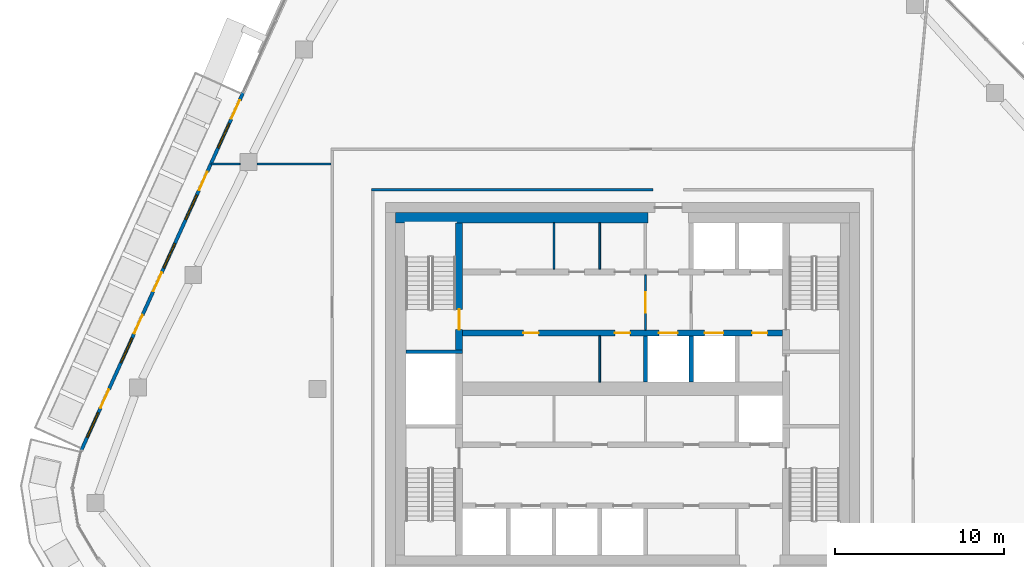
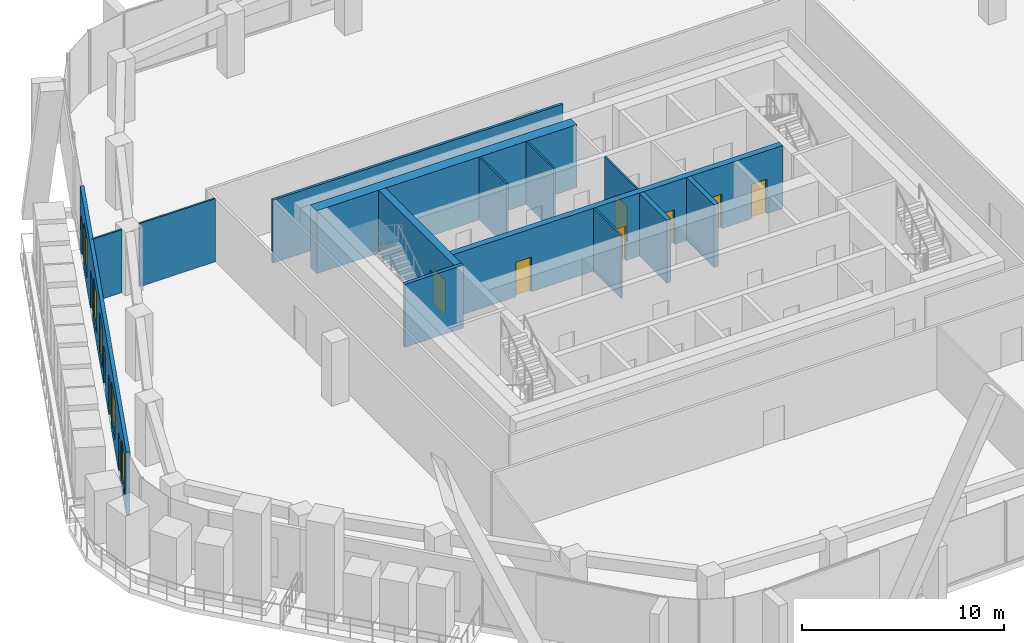
# One storey, part 14 of 23: 14 walls, 12 doors, 5 windows, 17 openings.
"""IFC4 building model written with IfcOpenShell, lengths in metres."""

from ifc_helpers import new_model, si_unit, direction, frame, frame_2d, origin, place, context, subcontext, project, spatial, rectangle, extrude, material, layer, layer_set, type_object, element, fill, save


model = new_model("IFC4")

# Units and contexts
model_context = context("Model", 3, precision=1e-05, world=origin(), true_north=direction((0.0, 1.0)))
body_context = subcontext(model_context, "Body", "Model", "MODEL_VIEW")
ifc_project = project(units=[si_unit("LENGTHUNIT", "METRE"), si_unit("AREAUNIT", "SQUARE_METRE"), si_unit("VOLUMEUNIT", "CUBIC_METRE"), si_unit("PLANEANGLEUNIT", "RADIAN"), si_unit("MASSUNIT", "GRAM", prefix="KILO")], contexts=[model_context])

# Site, building, storey
site_placement = place(None, origin())
site = spatial("IfcSite", under=ifc_project, at=site_placement, CompositionType="ELEMENT")
building_placement = place(site_placement, origin())
building = spatial("IfcBuilding", under=site, at=building_placement, Name="Dongbaek Canopy Tower", CompositionType="ELEMENT")
storey_placement = place(building_placement, frame((0.0, 0.0, 327.800048828125)))
storey = spatial("IfcBuildingStorey", under=building, at=storey_placement, Name="L70", CompositionType="ELEMENT", Elevation=327.800048828125)

# Wall, openings, doors
ifc_material_1 = material(Name="Concrete C60/75", Category="concrete")
ifc_layer_1 = layer(ifc_material_1, 0.35009765625)
ifc_layer_set_1 = layer_set([ifc_layer_1], Name="Core lobby wall 350 Concrete C60/75")
wall_type_1 = type_object("IfcWallType", Name="Core lobby wall 350 Concrete C60/75", PredefinedType="SHEAR", material=ifc_layer_set_1)
wall_1_placement = place(storey_placement, frame((9.449951171875, 3.300048828125, 0.0), z_axis=(0.0, 0.0, 1.0), x_axis=(-1.0, 0.0, 0.0)))
wall_1 = element("IfcWall", 1, at=wall_1_placement, inside=storey, type_object=wall_type_1, Name="Core wall", PredefinedType="SHEAR", context=body_context, shape_type="SweptSolid", body=[
    extrude(rectangle(XDim=18.89990234375, YDim=0.35009765625, at=frame_2d((9.449951171875, 0.0))), origin(), (0.0, 0.0, 1.0), 3.820068359375),
])
opening_1_placement = place(wall_1_placement, frame((6.199951171875, 0.0, 0.0)))
opening_1 = element("IfcOpeningElement", 2, at=opening_1_placement, cuts=wall_1, Name="Opening L70-D011", PredefinedType="OPENING", context=body_context, shape_type="SweptSolid", body=[
    extrude(rectangle(XDim=1.10009765625, YDim=2.10009765625, at=frame_2d((0.550048828125, 1.050048828125))), frame((0.0, 0.18505859375, 0.0), z_axis=(0.0, -1.0, 0.0), x_axis=(1.0, 0.0, 0.0)), (0.0, 0.0, 1.0), 0.3701171875),
])
opening_2_placement = place(wall_1_placement, frame((3.5, 0.0, 0.0)))
opening_2 = element("IfcOpeningElement", 3, at=opening_2_placement, cuts=wall_1, Name="Opening L70-D012", PredefinedType="OPENING", context=body_context, shape_type="SweptSolid", body=[
    extrude(rectangle(XDim=1.10009765625, YDim=2.10009765625, at=frame_2d((0.550048828125, 1.050048828125))), frame((0.0, 0.18505859375, 0.0), z_axis=(0.0, -1.0, 0.0), x_axis=(1.0, 0.0, 0.0)), (0.0, 0.0, 1.0), 0.3701171875),
])
opening_3_placement = place(wall_1_placement, frame((0.89990234375, 0.0, 0.0)))
opening_3 = element("IfcOpeningElement", 4, at=opening_3_placement, cuts=wall_1, Name="Opening L70-D013", PredefinedType="OPENING", context=body_context, shape_type="SweptSolid", body=[
    extrude(rectangle(XDim=0.89990234375, YDim=2.10009765625, at=frame_2d((0.449951171875, 1.050048828125))), frame((0.0, 0.18505859375, 0.0), z_axis=(0.0, -1.0, 0.0), x_axis=(1.0, 0.0, 0.0)), (0.0, 0.0, 1.0), 0.3701171875),
])
opening_4_placement = place(wall_1_placement, frame((14.39990234375, 0.0, 0.0)))
opening_4 = element("IfcOpeningElement", 5, at=opening_4_placement, cuts=wall_1, Name="Opening L70-D024", PredefinedType="OPENING", context=body_context, shape_type="SweptSolid", body=[
    extrude(rectangle(XDim=0.89990234375, YDim=2.10009765625, at=frame_2d((0.449951171875, 1.050048828125))), frame((0.0, 0.18505859375, 0.0), z_axis=(0.0, -1.0, 0.0), x_axis=(1.0, 0.0, 0.0)), (0.0, 0.0, 1.0), 0.3701171875),
])
opening_5_placement = place(wall_1_placement, frame((9.0, 0.0, 0.0)))
opening_5 = element("IfcOpeningElement", 6, at=opening_5_placement, cuts=wall_1, Name="Opening L70-D025", PredefinedType="OPENING", context=body_context, shape_type="SweptSolid", body=[
    extrude(rectangle(XDim=0.89990234375, YDim=2.10009765625, at=frame_2d((0.449951171875, 1.050048828125))), frame((0.0, 0.18505859375, 0.0), z_axis=(0.0, -1.0, 0.0), x_axis=(1.0, 0.0, 0.0)), (0.0, 0.0, 1.0), 0.3701171875),
])
ifc_material_2 = material(Name="Steel", Category="steel")
door_type_1 = type_object("IfcDoorType", Name="Core room door 900 x 2100", OperationType="SINGLE_SWING_LEFT", PredefinedType="DOOR", material=ifc_material_2)
door_1_placement = place(opening_3_placement, origin())
door_1 = element("IfcDoor", 7, at=door_1_placement, inside=storey, type_object=door_type_1, Name="Door L70-D013", OperationType="SINGLE_SWING_LEFT", OverallHeight=2.10009765625, OverallWidth=0.89990234375, PredefinedType="DOOR", context=body_context, shape_type="SweptSolid", body=[
    extrude(rectangle(XDim=0.89990234375, YDim=2.10009765625, at=frame_2d((0.449951171875, 1.050048828125))), frame((0.0, 0.02490234375, 0.0), z_axis=(0.0, -1.0, 0.0), x_axis=(1.0, 0.0, 0.0)), (0.0, 0.0, 1.0), 0.050048828125),
])
fill(opening_3, door_1)
door_2_placement = place(opening_4_placement, origin())
door_2 = element("IfcDoor", 8, at=door_2_placement, inside=storey, type_object=door_type_1, Name="Door L70-D024", OperationType="SINGLE_SWING_LEFT", OverallHeight=2.10009765625, OverallWidth=0.89990234375, PredefinedType="DOOR", context=body_context, shape_type="SweptSolid", body=[
    extrude(rectangle(XDim=0.89990234375, YDim=2.10009765625, at=frame_2d((0.449951171875, 1.050048828125))), frame((0.0, 0.02490234375, 0.0), z_axis=(0.0, -1.0, 0.0), x_axis=(1.0, 0.0, 0.0)), (0.0, 0.0, 1.0), 0.050048828125),
])
fill(opening_4, door_2)
door_3_placement = place(opening_5_placement, origin())
door_3 = element("IfcDoor", 9, at=door_3_placement, inside=storey, type_object=door_type_1, Name="Door L70-D025", OperationType="SINGLE_SWING_RIGHT", OverallHeight=2.10009765625, OverallWidth=0.89990234375, PredefinedType="DOOR", context=body_context, shape_type="SweptSolid", body=[
    extrude(rectangle(XDim=0.89990234375, YDim=2.10009765625, at=frame_2d((0.449951171875, 1.050048828125))), frame((0.0, 0.02490234375, 0.0), z_axis=(0.0, -1.0, 0.0), x_axis=(1.0, 0.0, 0.0)), (0.0, 0.0, 1.0), 0.050048828125),
])
fill(opening_5, door_3)
ifc_material_3 = material(Name="Stainless steel", Category="steel")
door_type_2 = type_object("IfcDoorType", Name="Lift landing door 1100 x 2100", OperationType="DOUBLE_DOOR_SLIDING", PredefinedType="DOOR", material=ifc_material_3)
door_4_placement = place(opening_1_placement, origin())
door_4 = element("IfcDoor", 10, at=door_4_placement, inside=storey, type_object=door_type_2, Name="Landing door SV1", OperationType="DOUBLE_DOOR_SLIDING", OverallHeight=2.10009765625, OverallWidth=1.10009765625, PredefinedType="DOOR", context=body_context, shape_type="SweptSolid", body=[
    extrude(rectangle(XDim=1.10009765625, YDim=2.10009765625, at=frame_2d((0.550048828125, 1.050048828125))), frame((0.0, 0.02490234375, 0.0), z_axis=(0.0, -1.0, 0.0), x_axis=(1.0, 0.0, 0.0)), (0.0, 0.0, 1.0), 0.050048828125),
])
fill(opening_1, door_4)
door_5_placement = place(opening_2_placement, origin())
door_5 = element("IfcDoor", 11, at=door_5_placement, inside=storey, type_object=door_type_2, Name="Landing door FF3", OperationType="DOUBLE_DOOR_SLIDING", OverallHeight=2.10009765625, OverallWidth=1.10009765625, PredefinedType="DOOR", context=body_context, shape_type="SweptSolid", body=[
    extrude(rectangle(XDim=1.10009765625, YDim=2.10009765625, at=frame_2d((0.550048828125, 1.050048828125))), frame((0.0, 0.02490234375, 0.0), z_axis=(0.0, -1.0, 0.0), x_axis=(1.0, 0.0, 0.0)), (0.0, 0.0, 1.0), 0.050048828125),
])
fill(opening_2, door_5)

# Walls
ifc_material_4 = material(Name="Concrete C60/75", Category="concrete")
ifc_layer_2 = layer(ifc_material_4, 0.60009765625)
ifc_layer_set_2 = layer_set([ifc_layer_2], Name="Core wall lining 600 Concrete C60/75")
wall_type_2 = type_object("IfcWallType", Name="Core wall lining 600 Concrete C60/75", PredefinedType="SHEAR", material=ifc_layer_set_2)
wall_2_placement = place(storey_placement, frame((-13.39990234375, 10.10009765625, 0.0), z_axis=(0.0, 0.0, 1.0), x_axis=(1.0, 0.0, 0.0)))
element("IfcWall", 12, at=wall_2_placement, inside=storey, type_object=wall_type_2, Name="Core wall lining", PredefinedType="SHEAR", context=body_context, shape_type="SweptSolid", body=[
    extrude(rectangle(XDim=14.89990234375, YDim=0.60009765625, at=frame_2d((7.449951171875, 0.0))), origin(), (0.0, 0.0, 1.0), 3.820068359375),
])
ifc_material_5 = material(Name="Gypsum board partition, steel stud, 2 x 15 mm fire board", Category="steel")
ifc_layer_3 = layer(ifc_material_5, 0.14990234375)
ifc_layer_set_3 = layer_set([ifc_layer_3], Name="Fire-rated partition 150 gypsum board")
wall_type_3 = type_object("IfcWallType", Name="Fire-rated partition 150 gypsum board", PredefinedType="PARTITIONING", material=ifc_layer_set_3)
wall_3_placement = place(storey_placement, frame((-14.824951171875, 11.75, 0.0), z_axis=(0.0, 0.0, 1.0), x_axis=(1.0, 0.0, 0.0)))
element("IfcWall", 13, at=wall_3_placement, inside=storey, type_object=wall_type_3, Name="Corridor partition", PredefinedType="PARTITIONING", context=body_context, shape_type="SweptSolid", body=[
    extrude(rectangle(XDim=16.625, YDim=0.14990234375, at=frame_2d((8.3125, 0.0))), origin(), (0.0, 0.0, 1.0), 3.820068359375),
])
ifc_material_6 = material(Name="Concrete C40/50", Category="concrete")
ifc_layer_4 = layer(ifc_material_6, 0.25)
ifc_layer_set_4 = layer_set([ifc_layer_4], Name="Lift shaft wall 250 Concrete C40/50")
wall_type_4 = type_object("IfcWallType", Name="Lift shaft wall 250 Concrete C40/50", PredefinedType="SOLIDWALL", material=ifc_layer_set_4)
for number, where, z_axis, x_axis, name in (
    (14, (4.050048828125, 0.39990234375, 0.0), (0.0, 0.0, 1.0), (0.0, 1.0, 0.0), "Lift shaft wall"),
    (15, (1.35009765625, 0.39990234375, 0.0), (0.0, 0.0, 1.0), (0.0, 1.0, 0.0), "Lift shaft wall"),
):
    element("IfcWall", number, at=place(storey_placement, frame(where, z_axis=z_axis, x_axis=x_axis)), inside=storey, type_object=wall_type_4, Name=name, PredefinedType="SOLIDWALL", context=body_context, shape_type="SweptSolid", body=[
        extrude(rectangle(XDim=2.72509765625, YDim=0.25, at=frame_2d((1.362548828125, 0.0))), origin(), (0.0, 0.0, 1.0), 3.820068359375),
    ])
ifc_material_7 = material(Name="Gypsum board partition, steel stud, 2 x 12.5 mm board", Category="steel")
ifc_layer_5 = layer(ifc_material_7, 0.10009765625)
ifc_layer_set_5 = layer_set([ifc_layer_5], Name="Partition 100 gypsum board")
wall_type_5 = type_object("IfcWallType", Name="Partition 100 gypsum board", PredefinedType="PARTITIONING", material=ifc_layer_set_5)
wall_4_placement = place(storey_placement, frame((-24.28759765625, 13.27099609375, 0.0), z_axis=(0.0, 0.0, 1.0), x_axis=(1.0, 0.0, 0.0)))
element("IfcWall", 16, at=wall_4_placement, inside=storey, type_object=wall_type_5, Name="Partition", PredefinedType="PARTITIONING", context=body_context, shape_type="SweptSolid", body=[
    extrude(rectangle(XDim=1.711669921875, YDim=0.10009765625, at=frame_2d((0.85595703125, 0.0))), origin(), (0.0, 0.0, 1.0), 3.820068359375),
])
wall_5_placement = place(storey_placement, frame((-21.575927734375, 13.27099609375, 0.0), z_axis=(0.0, 0.0, 1.0), x_axis=(1.0, 0.0, 0.0)))
element("IfcWall", 17, at=wall_5_placement, inside=storey, type_object=wall_type_5, Name="Partition", PredefinedType="PARTITIONING", context=body_context, shape_type="SweptSolid", body=[
    extrude(rectangle(XDim=4.350830078125, YDim=0.10009765625, at=frame_2d((2.17529296875, 0.0))), origin(), (0.0, 0.0, 1.0), 3.820068359375),
])

# Wall, opening, door
wall_6_placement = place(storey_placement, frame((1.35009765625, 6.72509765625, 0.0), z_axis=(0.0, 0.0, 1.0), x_axis=(0.0, -1.0, 0.0)))
wall_6 = element("IfcWall", 18, at=wall_6_placement, inside=storey, type_object=wall_type_5, Name="Core partition", PredefinedType="PARTITIONING", context=body_context, shape_type="SweptSolid", body=[
    extrude(rectangle(XDim=3.25, YDim=0.10009765625, at=frame_2d((1.625, 0.0))), origin(), (0.0, 0.0, 1.0), 3.820068359375),
])
opening_6_placement = place(wall_6_placement, frame((1.02490234375, 0.0, 0.0)))
opening_6 = element("IfcOpeningElement", 19, at=opening_6_placement, cuts=wall_6, Name="Opening L70-D034", PredefinedType="OPENING", context=body_context, shape_type="SweptSolid", body=[
    extrude(rectangle(XDim=1.199951171875, YDim=2.10009765625, at=frame_2d((0.60009765625, 1.050048828125))), frame((0.0, 0.06005859375, 0.0), z_axis=(0.0, -1.0, 0.0), x_axis=(1.0, 0.0, 0.0)), (0.0, 0.0, 1.0), 0.1201171875),
])
ifc_material_8 = material(Name="Steel", Category="steel")
door_type_3 = type_object("IfcDoorType", Name="Fire lobby door 1200 x 2100", OperationType="SINGLE_SWING_LEFT", PredefinedType="DOOR", material=ifc_material_8)
door_6_placement = place(opening_6_placement, origin())
door_6 = element("IfcDoor", 20, at=door_6_placement, inside=storey, type_object=door_type_3, Name="Door L70-D034", OperationType="SINGLE_SWING_LEFT", OverallHeight=2.10009765625, OverallWidth=1.199951171875, PredefinedType="DOOR", context=body_context, shape_type="SweptSolid", body=[
    extrude(rectangle(XDim=1.199951171875, YDim=2.10009765625, at=frame_2d((0.60009765625, 1.050048828125))), frame((0.0, 0.02490234375, 0.0), z_axis=(0.0, -1.0, 0.0), x_axis=(1.0, 0.0, 0.0)), (0.0, 0.0, 1.0), 0.050048828125),
])
fill(opening_6, door_6)

# Walls
for number, where, z_axis, x_axis, name in (
    (21, (-1.35009765625, 0.39990234375, 0.0), (0.0, 0.0, 1.0), (0.0, 1.0, 0.0), "Core partition"),
    (22, (-1.35009765625, 7.074951171875, 0.0), (0.0, 0.0, 1.0), (0.0, 1.0, 0.0), "Core partition"),
    (23, (-4.050048828125, 7.074951171875, 0.0), (0.0, 0.0, 1.0), (0.0, 1.0, 0.0), "Core partition"),
):
    element("IfcWall", number, at=place(storey_placement, frame(where, z_axis=z_axis, x_axis=x_axis)), inside=storey, type_object=wall_type_5, Name=name, PredefinedType="PARTITIONING", context=body_context, shape_type="SweptSolid", body=[
        extrude(rectangle(XDim=2.72509765625, YDim=0.10009765625, at=frame_2d((1.362548828125, 0.0))), origin(), (0.0, 0.0, 1.0), 3.820068359375),
    ])
ifc_material_9 = material(Name="Concrete C60/75", Category="concrete")
ifc_layer_6 = layer(ifc_material_9, 0.199951171875)
ifc_layer_set_6 = layer_set([ifc_layer_6], Name="Riser wall 200 Concrete C60/75")
wall_type_6 = type_object("IfcWallType", Name="Riser wall 200 Concrete C60/75", PredefinedType="SHEAR", material=ifc_layer_set_6)
wall_7_placement = place(storey_placement, frame((-9.449951171875, 2.199951171875, 0.0), z_axis=(0.0, 0.0, 1.0), x_axis=(-1.0, 0.0, 0.0)))
element("IfcWall", 24, at=wall_7_placement, inside=storey, type_object=wall_type_6, Name="Riser wall", PredefinedType="SHEAR", context=body_context, shape_type="SweptSolid", body=[
    extrude(rectangle(XDim=3.35009765625, YDim=0.199951171875, at=frame_2d((1.675048828125, 0.0))), origin(), (0.0, 0.0, 1.0), 3.820068359375),
])

# Wall, opening, door
ifc_material_10 = material(Name="Concrete C60/75", Category="concrete")
ifc_layer_7 = layer(ifc_material_10, 0.39990234375)
ifc_layer_set_7 = layer_set([ifc_layer_7], Name="Stair wall 400 Concrete C60/75")
wall_type_7 = type_object("IfcWallType", Name="Stair wall 400 Concrete C60/75", PredefinedType="SHEAR", material=ifc_layer_set_7)
wall_8_placement = place(storey_placement, frame((-9.64990234375, 2.300048828125, 0.0), z_axis=(0.0, 0.0, 1.0), x_axis=(0.0, 1.0, 0.0)))
wall_8 = element("IfcWall", 25, at=wall_8_placement, inside=storey, type_object=wall_type_7, Name="Stair wall", PredefinedType="SHEAR", context=body_context, shape_type="SweptSolid", body=[
    extrude(rectangle(XDim=7.5, YDim=0.39990234375, at=frame_2d((3.75, 0.0))), origin(), (0.0, 0.0, 1.0), 3.820068359375),
])
opening_7_placement = place(wall_8_placement, frame((1.199951171875, 0.0, 0.0)))
opening_7 = element("IfcOpeningElement", 26, at=opening_7_placement, cuts=wall_8, Name="Opening L70-D031", PredefinedType="OPENING", context=body_context, shape_type="SweptSolid", body=[
    extrude(rectangle(XDim=1.199951171875, YDim=2.10009765625, at=frame_2d((0.60009765625, 1.050048828125))), frame((0.0, 0.2099609375, 0.0), z_axis=(0.0, -1.0, 0.0), x_axis=(1.0, 0.0, 0.0)), (0.0, 0.0, 1.0), 0.419921875),
])
ifc_material_11 = material(Name="Steel", Category="steel")
door_type_4 = type_object("IfcDoorType", Name="Stair door 1200 x 2100", OperationType="SINGLE_SWING_LEFT", PredefinedType="DOOR", material=ifc_material_11)
door_7_placement = place(opening_7_placement, origin())
door_7 = element("IfcDoor", 27, at=door_7_placement, inside=storey, type_object=door_type_4, Name="Stair C door", OperationType="SINGLE_SWING_RIGHT", OverallHeight=2.10009765625, OverallWidth=1.199951171875, PredefinedType="DOOR", context=body_context, shape_type="SweptSolid", body=[
    extrude(rectangle(XDim=1.199951171875, YDim=2.10009765625, at=frame_2d((0.60009765625, 1.050048828125))), frame((0.0, 0.02490234375, 0.0), z_axis=(0.0, -1.0, 0.0), x_axis=(1.0, 0.0, 0.0)), (0.0, 0.0, 1.0), 0.050048828125),
])
fill(opening_7, door_7)

# Wall, openings, doors, windows
ifc_material_12 = material(Name="Aluminium window wall", Category="aluminium")
ifc_layer_8 = layer(ifc_material_12, 0.199951171875)
ifc_layer_set_8 = layer_set([ifc_layer_8], Name="Window wall 200")
wall_type_8 = type_object("IfcWallType", Name="Window wall 200", PredefinedType="SOLIDWALL", material=ifc_layer_set_8)
wall_9_placement = place(storey_placement, frame((-22.39892578125, 17.4951171875, 0.0), z_axis=(0.0, 0.0, 1.0), x_axis=(-0.412123946496, -0.911127791654, 0.0)))
wall_9 = element("IfcWall", 28, at=wall_9_placement, inside=storey, type_object=wall_type_8, Name="Window wall L70 2", PredefinedType="SOLIDWALL", context=body_context, shape_type="SweptSolid", body=[
    extrude(rectangle(XDim=23.180419921875, YDim=0.199951171875, at=frame_2d((11.59033203125, 0.0))), origin(), (0.0, 0.0, 1.0), 3.820068359375),
])
opening_8_placement = place(wall_9_placement, frame((2.0, 0.0, 0.60009765625)))
opening_8 = element("IfcOpeningElement", 29, at=opening_8_placement, cuts=wall_9, Name="Opening W1", PredefinedType="OPENING", context=body_context, shape_type="SweptSolid", body=[
    extrude(rectangle(XDim=1.60009765625, YDim=2.39990234375, at=frame_2d((0.800048828125, 1.199951171875))), frame((0.0, 0.10986328125, 0.0), z_axis=(0.0, -1.0, 0.0), x_axis=(1.0, 0.0, 0.0)), (0.0, 0.0, 1.0), 0.219970703125),
])
opening_9_placement = place(wall_9_placement, frame((0.5, 0.0, 0.0)))
opening_9 = element("IfcOpeningElement", 30, at=opening_9_placement, cuts=wall_9, Name="Opening L70-B04", PredefinedType="OPENING", context=body_context, shape_type="SweptSolid", body=[
    extrude(rectangle(XDim=1.199951171875, YDim=2.39990234375, at=frame_2d((0.60009765625, 1.199951171875))), frame((0.0, 0.10986328125, 0.0), z_axis=(0.0, -1.0, 0.0), x_axis=(1.0, 0.0, 0.0)), (0.0, 0.0, 1.0), 0.219970703125),
])
opening_10_placement = place(wall_9_placement, frame((6.635986328125, 0.0, 0.60009765625)))
opening_10 = element("IfcOpeningElement", 31, at=opening_10_placement, cuts=wall_9, Name="Opening W1", PredefinedType="OPENING", context=body_context, shape_type="SweptSolid", body=[
    extrude(rectangle(XDim=1.60009765625, YDim=2.39990234375, at=frame_2d((0.800048828125, 1.199951171875))), frame((0.0, 0.10986328125, 0.0), z_axis=(0.0, -1.0, 0.0), x_axis=(1.0, 0.0, 0.0)), (0.0, 0.0, 1.0), 0.219970703125),
])
opening_11_placement = place(wall_9_placement, frame((5.135986328125, 0.0, 0.0)))
opening_11 = element("IfcOpeningElement", 32, at=opening_11_placement, cuts=wall_9, Name="Opening L70-B05", PredefinedType="OPENING", context=body_context, shape_type="SweptSolid", body=[
    extrude(rectangle(XDim=1.199951171875, YDim=2.39990234375, at=frame_2d((0.60009765625, 1.199951171875))), frame((0.0, 0.10986328125, 0.0), z_axis=(0.0, -1.0, 0.0), x_axis=(1.0, 0.0, 0.0)), (0.0, 0.0, 1.0), 0.219970703125),
])
opening_12_placement = place(wall_9_placement, frame((9.772216796875, 0.0, 0.60009765625)))
opening_12 = element("IfcOpeningElement", 33, at=opening_12_placement, cuts=wall_9, Name="Opening W1", PredefinedType="OPENING", context=body_context, shape_type="SweptSolid", body=[
    extrude(rectangle(XDim=1.60009765625, YDim=2.39990234375, at=frame_2d((0.800048828125, 1.199951171875))), frame((0.0, 0.10986328125, 0.0), z_axis=(0.0, -1.0, 0.0), x_axis=(1.0, 0.0, 0.0)), (0.0, 0.0, 1.0), 0.219970703125),
])
opening_13_placement = place(wall_9_placement, frame((11.672119140625, 0.0, 0.0)))
opening_13 = element("IfcOpeningElement", 34, at=opening_13_placement, cuts=wall_9, Name="Opening L70-B06", PredefinedType="OPENING", context=body_context, shape_type="SweptSolid", body=[
    extrude(rectangle(XDim=1.199951171875, YDim=2.39990234375, at=frame_2d((0.60009765625, 1.199951171875))), frame((0.0, 0.10986328125, 0.0), z_axis=(0.0, -1.0, 0.0), x_axis=(1.0, 0.0, 0.0)), (0.0, 0.0, 1.0), 0.219970703125),
])
opening_14_placement = place(wall_9_placement, frame((15.908203125, 0.0, 0.60009765625)))
opening_14 = element("IfcOpeningElement", 35, at=opening_14_placement, cuts=wall_9, Name="Opening W1", PredefinedType="OPENING", context=body_context, shape_type="SweptSolid", body=[
    extrude(rectangle(XDim=1.60009765625, YDim=2.39990234375, at=frame_2d((0.800048828125, 1.199951171875))), frame((0.0, 0.10986328125, 0.0), z_axis=(0.0, -1.0, 0.0), x_axis=(1.0, 0.0, 0.0)), (0.0, 0.0, 1.0), 0.219970703125),
])
opening_15_placement = place(wall_9_placement, frame((14.408203125, 0.0, 0.0)))
opening_15 = element("IfcOpeningElement", 36, at=opening_15_placement, cuts=wall_9, Name="Opening L70-B07", PredefinedType="OPENING", context=body_context, shape_type="SweptSolid", body=[
    extrude(rectangle(XDim=1.199951171875, YDim=2.39990234375, at=frame_2d((0.60009765625, 1.199951171875))), frame((0.0, 0.10986328125, 0.0), z_axis=(0.0, -1.0, 0.0), x_axis=(1.0, 0.0, 0.0)), (0.0, 0.0, 1.0), 0.219970703125),
])
opening_16_placement = place(wall_9_placement, frame((20.744384765625, 0.0, 0.60009765625)))
opening_16 = element("IfcOpeningElement", 37, at=opening_16_placement, cuts=wall_9, Name="Opening W1", PredefinedType="OPENING", context=body_context, shape_type="SweptSolid", body=[
    extrude(rectangle(XDim=1.60009765625, YDim=2.39990234375, at=frame_2d((0.800048828125, 1.199951171875))), frame((0.0, 0.10986328125, 0.0), z_axis=(0.0, -1.0, 0.0), x_axis=(1.0, 0.0, 0.0)), (0.0, 0.0, 1.0), 0.219970703125),
])
opening_17_placement = place(wall_9_placement, frame((19.244384765625, 0.0, 0.0)))
opening_17 = element("IfcOpeningElement", 38, at=opening_17_placement, cuts=wall_9, Name="Opening L70-B08", PredefinedType="OPENING", context=body_context, shape_type="SweptSolid", body=[
    extrude(rectangle(XDim=1.199951171875, YDim=2.39990234375, at=frame_2d((0.60009765625, 1.199951171875))), frame((0.0, 0.10986328125, 0.0), z_axis=(0.0, -1.0, 0.0), x_axis=(1.0, 0.0, 0.0)), (0.0, 0.0, 1.0), 0.219970703125),
])
ifc_material_13 = material(Name="Clear glazing in aluminium frame", Category="aluminium")
door_type_5 = type_object("IfcDoorType", Name="Balcony door BD1 1200 x 2400", OperationType="SLIDING_TO_LEFT", PredefinedType="DOOR", material=ifc_material_13)
door_8_placement = place(opening_9_placement, origin())
door_8 = element("IfcDoor", 39, at=door_8_placement, inside=storey, type_object=door_type_5, Name="Balcony door L70-B04", OperationType="SLIDING_TO_LEFT", OverallHeight=2.39990234375, OverallWidth=1.199951171875, PredefinedType="DOOR", context=body_context, shape_type="SweptSolid", body=[
    extrude(rectangle(XDim=1.199951171875, YDim=2.39990234375, at=frame_2d((0.60009765625, 1.199951171875))), frame((0.0, 0.02490234375, 0.0), z_axis=(0.0, -1.0, 0.0), x_axis=(1.0, 0.0, 0.0)), (0.0, 0.0, 1.0), 0.050048828125),
])
fill(opening_9, door_8)
door_9_placement = place(opening_11_placement, origin())
door_9 = element("IfcDoor", 40, at=door_9_placement, inside=storey, type_object=door_type_5, Name="Balcony door L70-B05", OperationType="SLIDING_TO_LEFT", OverallHeight=2.39990234375, OverallWidth=1.199951171875, PredefinedType="DOOR", context=body_context, shape_type="SweptSolid", body=[
    extrude(rectangle(XDim=1.199951171875, YDim=2.39990234375, at=frame_2d((0.60009765625, 1.199951171875))), frame((0.0, 0.02490234375, 0.0), z_axis=(0.0, -1.0, 0.0), x_axis=(1.0, 0.0, 0.0)), (0.0, 0.0, 1.0), 0.050048828125),
])
fill(opening_11, door_9)
door_10_placement = place(opening_13_placement, origin())
door_10 = element("IfcDoor", 41, at=door_10_placement, inside=storey, type_object=door_type_5, Name="Balcony door L70-B06", OperationType="SLIDING_TO_LEFT", OverallHeight=2.39990234375, OverallWidth=1.199951171875, PredefinedType="DOOR", context=body_context, shape_type="SweptSolid", body=[
    extrude(rectangle(XDim=1.199951171875, YDim=2.39990234375, at=frame_2d((0.60009765625, 1.199951171875))), frame((0.0, 0.02490234375, 0.0), z_axis=(0.0, -1.0, 0.0), x_axis=(1.0, 0.0, 0.0)), (0.0, 0.0, 1.0), 0.050048828125),
])
fill(opening_13, door_10)
door_11_placement = place(opening_15_placement, origin())
door_11 = element("IfcDoor", 42, at=door_11_placement, inside=storey, type_object=door_type_5, Name="Balcony door L70-B07", OperationType="SLIDING_TO_LEFT", OverallHeight=2.39990234375, OverallWidth=1.199951171875, PredefinedType="DOOR", context=body_context, shape_type="SweptSolid", body=[
    extrude(rectangle(XDim=1.199951171875, YDim=2.39990234375, at=frame_2d((0.60009765625, 1.199951171875))), frame((0.0, 0.02490234375, 0.0), z_axis=(0.0, -1.0, 0.0), x_axis=(1.0, 0.0, 0.0)), (0.0, 0.0, 1.0), 0.050048828125),
])
fill(opening_15, door_11)
door_12_placement = place(opening_17_placement, origin())
door_12 = element("IfcDoor", 43, at=door_12_placement, inside=storey, type_object=door_type_5, Name="Balcony door L70-B08", OperationType="SLIDING_TO_LEFT", OverallHeight=2.39990234375, OverallWidth=1.199951171875, PredefinedType="DOOR", context=body_context, shape_type="SweptSolid", body=[
    extrude(rectangle(XDim=1.199951171875, YDim=2.39990234375, at=frame_2d((0.60009765625, 1.199951171875))), frame((0.0, 0.02490234375, 0.0), z_axis=(0.0, -1.0, 0.0), x_axis=(1.0, 0.0, 0.0)), (0.0, 0.0, 1.0), 0.050048828125),
])
fill(opening_17, door_12)
ifc_material_14 = material(Name="Clear glazing in aluminium frame", Category="aluminium")
window_type = type_object("IfcWindowType", Name="Window W1 1600 x 2400", PartitioningType="SINGLE_PANEL", PredefinedType="WINDOW", material=ifc_material_14)
window_1_placement = place(opening_8_placement, origin())
window_1 = element("IfcWindow", 44, at=window_1_placement, inside=storey, type_object=window_type, Name="Window L70 2.1", OverallHeight=2.39990234375, OverallWidth=1.60009765625, PartitioningType="SINGLE_PANEL", PredefinedType="WINDOW", context=body_context, shape_type="SweptSolid", body=[
    extrude(rectangle(XDim=1.60009765625, YDim=2.39990234375, at=frame_2d((0.800048828125, 1.199951171875))), frame((0.0, 0.030029296875, 0.0), z_axis=(0.0, -1.0, 0.0), x_axis=(1.0, 0.0, 0.0)), (0.0, 0.0, 1.0), 0.06005859375),
])
fill(opening_8, window_1)
window_2_placement = place(opening_10_placement, origin())
window_2 = element("IfcWindow", 45, at=window_2_placement, inside=storey, type_object=window_type, Name="Window L70 2.2", OverallHeight=2.39990234375, OverallWidth=1.60009765625, PartitioningType="SINGLE_PANEL", PredefinedType="WINDOW", context=body_context, shape_type="SweptSolid", body=[
    extrude(rectangle(XDim=1.60009765625, YDim=2.39990234375, at=frame_2d((0.800048828125, 1.199951171875))), frame((0.0, 0.030029296875, 0.0), z_axis=(0.0, -1.0, 0.0), x_axis=(1.0, 0.0, 0.0)), (0.0, 0.0, 1.0), 0.06005859375),
])
fill(opening_10, window_2)
window_3_placement = place(opening_12_placement, origin())
window_3 = element("IfcWindow", 46, at=window_3_placement, inside=storey, type_object=window_type, Name="Window L70 2.3", OverallHeight=2.39990234375, OverallWidth=1.60009765625, PartitioningType="SINGLE_PANEL", PredefinedType="WINDOW", context=body_context, shape_type="SweptSolid", body=[
    extrude(rectangle(XDim=1.60009765625, YDim=2.39990234375, at=frame_2d((0.800048828125, 1.199951171875))), frame((0.0, 0.030029296875, 0.0), z_axis=(0.0, -1.0, 0.0), x_axis=(1.0, 0.0, 0.0)), (0.0, 0.0, 1.0), 0.06005859375),
])
fill(opening_12, window_3)
window_4_placement = place(opening_14_placement, origin())
window_4 = element("IfcWindow", 47, at=window_4_placement, inside=storey, type_object=window_type, Name="Window L70 2.4", OverallHeight=2.39990234375, OverallWidth=1.60009765625, PartitioningType="SINGLE_PANEL", PredefinedType="WINDOW", context=body_context, shape_type="SweptSolid", body=[
    extrude(rectangle(XDim=1.60009765625, YDim=2.39990234375, at=frame_2d((0.800048828125, 1.199951171875))), frame((0.0, 0.030029296875, 0.0), z_axis=(0.0, -1.0, 0.0), x_axis=(1.0, 0.0, 0.0)), (0.0, 0.0, 1.0), 0.06005859375),
])
fill(opening_14, window_4)
window_5_placement = place(opening_16_placement, origin())
window_5 = element("IfcWindow", 48, at=window_5_placement, inside=storey, type_object=window_type, Name="Window L70 2.5", OverallHeight=2.39990234375, OverallWidth=1.60009765625, PartitioningType="SINGLE_PANEL", PredefinedType="WINDOW", context=body_context, shape_type="SweptSolid", body=[
    extrude(rectangle(XDim=1.60009765625, YDim=2.39990234375, at=frame_2d((0.800048828125, 1.199951171875))), frame((0.0, 0.030029296875, 0.0), z_axis=(0.0, -1.0, 0.0), x_axis=(1.0, 0.0, 0.0)), (0.0, 0.0, 1.0), 0.06005859375),
])
fill(opening_16, window_5)

save(model, "model.ifc")
